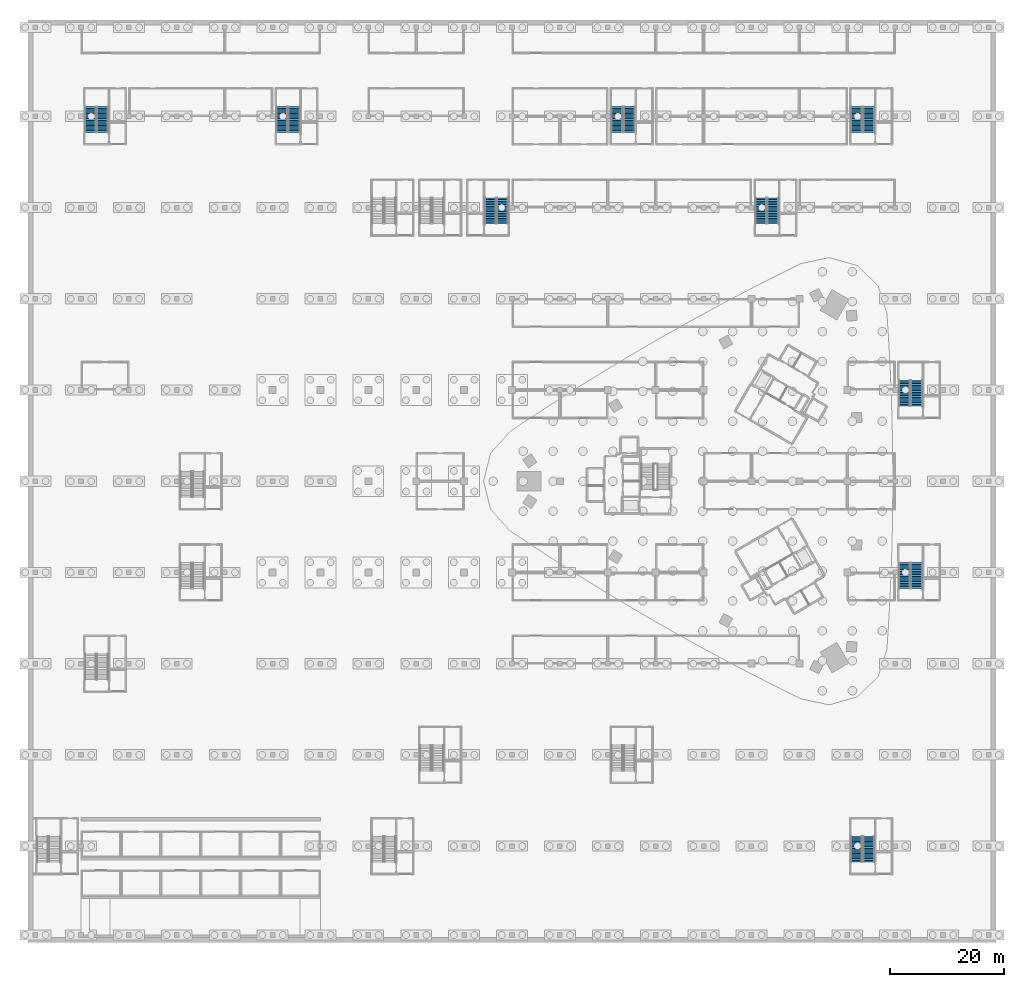
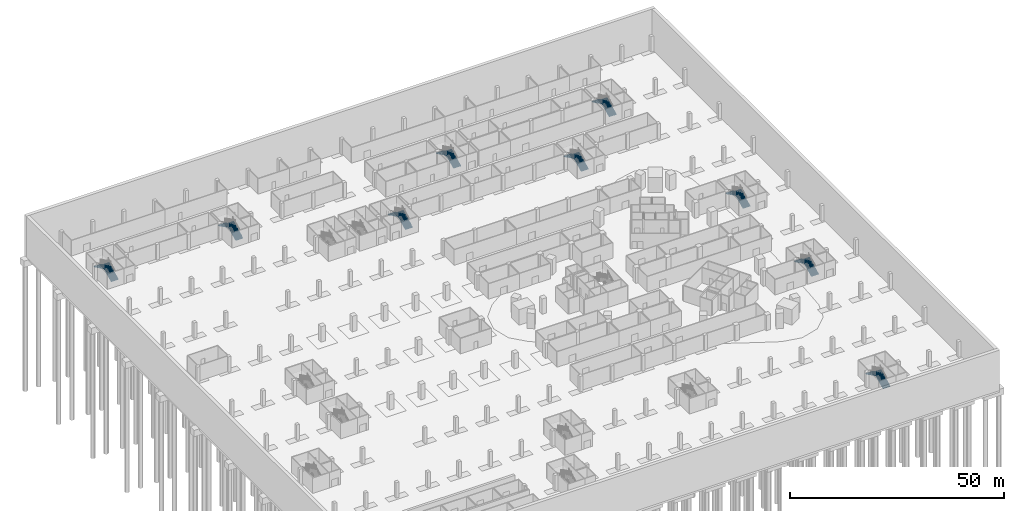
# One storey, part 27 of 46: 18 stair flights, 9 elements without a shape of their own.
"""IFC4 building model written with IfcOpenShell, lengths in metres."""

from ifc_helpers import new_model, si_unit, direction, frame, origin, place, context, subcontext, project, spatial, polyline, outline, extrude, material, layer, layer_set, type_object, element, aggregate, save


model = new_model("IFC4")

# Units and contexts
model_context = context("Model", 3, precision=1e-05, world=origin(), true_north=direction((0.0, 1.0)))
body_context = subcontext(model_context, "Body", "Model", "MODEL_VIEW")
ifc_project = project(units=[si_unit("LENGTHUNIT", "METRE"), si_unit("AREAUNIT", "SQUARE_METRE"), si_unit("VOLUMEUNIT", "CUBIC_METRE"), si_unit("PLANEANGLEUNIT", "RADIAN"), si_unit("MASSUNIT", "GRAM", prefix="KILO")], contexts=[model_context])

# Site, building, storey
site_placement = place(None, origin())
site = spatial("IfcSite", under=ifc_project, at=site_placement, CompositionType="ELEMENT")
building_placement = place(site_placement, origin())
building = spatial("IfcBuilding", under=site, at=building_placement, Name="Tamra Quay Hotel Tower", CompositionType="ELEMENT")
storey_placement = place(building_placement, frame((0.0, 0.0, -12.0)))
storey = spatial("IfcBuildingStorey", under=building, at=storey_placement, Name="B3", CompositionType="ELEMENT", Elevation=-12.0)

# Stair, stair flights
ifc_material_1 = material(Name="Basement exit stair")
stair_type = type_object("IfcStairType", Name="Basement exit stair", PredefinedType="HALF_TURN_STAIR", material=ifc_material_1)
stair_1_placement = place(storey_placement, origin())
stair_1 = element("IfcStair", 1, at=stair_1_placement, inside=storey, type_object=stair_type, Name="B3 Basement Exit Stair BS2", PredefinedType="HALF_TURN_STAIR")
ifc_material_2 = material(Name="Concrete M60", Category="concrete")
ifc_layer = layer(ifc_material_2, 0.14990234375)
ifc_layer_set = layer_set([ifc_layer], Name="Concrete M60 basement stair flight 150")
stair_flight_type = type_object("IfcStairFlightType", Name="Concrete M60 basement stair flight 150", PredefinedType="STRAIGHT", material=ifc_layer_set)
stair_flight_1_placement = place(storey_placement, frame((-110.5, 61.199951171875, 0.0), z_axis=(0.0, 0.0, 1.0), x_axis=(0.0, 1.0, 0.0)))
stair_flight_1 = element("IfcStairFlight", 2, at=stair_flight_1_placement, type_object=stair_flight_type, Name="BS2 flight 1", NumberOfRisers=16, NumberOfTreads=15, PredefinedType="STRAIGHT", RiserHeight=0.15, TreadLength=0.3, context=body_context, shape_type="SweptSolid", body=[
    extrude(outline(polyline([(0.0, 0.0), (0.0, 0.14990234375), (0.300048828125, 0.14990234375), (0.300048828125, 0.300048828125), (0.60009765625, 0.300048828125), (0.60009765625, 0.449951171875), (0.89990234375, 0.449951171875), (0.89990234375, 0.60009765625), (1.199951171875, 0.60009765625), (1.199951171875, 0.75), (1.5, 0.75), (1.5, 0.89990234375), (1.800048828125, 0.89990234375), (1.800048828125, 1.050048828125), (2.10009765625, 1.050048828125), (2.10009765625, 1.199951171875), (2.39990234375, 1.199951171875), (2.39990234375, 1.35009765625), (2.699951171875, 1.35009765625), (2.699951171875, 1.5), (3.0, 1.5), (3.0, 1.64990234375), (3.300048828125, 1.64990234375), (3.300048828125, 1.800048828125), (3.60009765625, 1.800048828125), (3.60009765625, 1.949951171875), (3.89990234375, 1.949951171875), (3.89990234375, 2.10009765625), (4.199951171875, 2.10009765625), (4.199951171875, 2.25), (4.5, 2.25), (4.5, 2.39990234375), (4.5, 2.08251953125), (0.335205078125, 0.0), (0.0, 0.0)])), frame((0.0, 1.0, 0.0), z_axis=(0.0, -1.0, 0.0), x_axis=(1.0, 0.0, 0.0)), (0.0, 0.0, 1.0), 2.0),
])
stair_flight_2_placement = place(storey_placement, frame((-112.64990234375, 65.699951171875, 2.39990234375), z_axis=(0.0, 0.0, 1.0), x_axis=(0.0, -1.0, 0.0)))
stair_flight_2 = element("IfcStairFlight", 3, at=stair_flight_2_placement, type_object=stair_flight_type, Name="BS2 flight 2", NumberOfRisers=16, NumberOfTreads=15, PredefinedType="STRAIGHT", RiserHeight=0.15, TreadLength=0.3, context=body_context, shape_type="SweptSolid", body=[
    extrude(outline(polyline([(0.0, 0.0), (0.0, 0.14990234375), (0.300048828125, 0.14990234375), (0.300048828125, 0.300048828125), (0.60009765625, 0.300048828125), (0.60009765625, 0.449951171875), (0.89990234375, 0.449951171875), (0.89990234375, 0.60009765625), (1.199951171875, 0.60009765625), (1.199951171875, 0.75), (1.5, 0.75), (1.5, 0.89990234375), (1.800048828125, 0.89990234375), (1.800048828125, 1.050048828125), (2.10009765625, 1.050048828125), (2.10009765625, 1.199951171875), (2.39990234375, 1.199951171875), (2.39990234375, 1.35009765625), (2.699951171875, 1.35009765625), (2.699951171875, 1.5), (3.0, 1.5), (3.0, 1.64990234375), (3.300048828125, 1.64990234375), (3.300048828125, 1.800048828125), (3.60009765625, 1.800048828125), (3.60009765625, 1.949951171875), (3.89990234375, 1.949951171875), (3.89990234375, 2.10009765625), (4.199951171875, 2.10009765625), (4.199951171875, 2.25), (4.5, 2.25), (4.5, 2.39990234375), (4.5, 2.08251953125), (0.335205078125, 0.0), (0.0, 0.0)])), frame((0.0, 1.0, 0.0), z_axis=(0.0, -1.0, 0.0), x_axis=(1.0, 0.0, 0.0)), (0.0, 0.0, 1.0), 2.0),
])
aggregate(stair_1, [stair_flight_1, stair_flight_2])

stair_2_placement = place(storey_placement, origin())
stair_2 = element("IfcStair", 4, at=stair_2_placement, inside=storey, type_object=stair_type, Name="B3 Basement Exit Stair BS5", PredefinedType="HALF_TURN_STAIR")
stair_flight_3_placement = place(storey_placement, frame((-76.89990234375, 61.199951171875, 0.0), z_axis=(0.0, 0.0, 1.0), x_axis=(0.0, 1.0, 0.0)))
stair_flight_3 = element("IfcStairFlight", 5, at=stair_flight_3_placement, type_object=stair_flight_type, Name="BS5 flight 1", NumberOfRisers=16, NumberOfTreads=15, PredefinedType="STRAIGHT", RiserHeight=0.15, TreadLength=0.3, context=body_context, shape_type="SweptSolid", body=[
    extrude(outline(polyline([(0.0, 0.0), (0.0, 0.14990234375), (0.300048828125, 0.14990234375), (0.300048828125, 0.300048828125), (0.60009765625, 0.300048828125), (0.60009765625, 0.449951171875), (0.89990234375, 0.449951171875), (0.89990234375, 0.60009765625), (1.199951171875, 0.60009765625), (1.199951171875, 0.75), (1.5, 0.75), (1.5, 0.89990234375), (1.800048828125, 0.89990234375), (1.800048828125, 1.050048828125), (2.10009765625, 1.050048828125), (2.10009765625, 1.199951171875), (2.39990234375, 1.199951171875), (2.39990234375, 1.35009765625), (2.699951171875, 1.35009765625), (2.699951171875, 1.5), (3.0, 1.5), (3.0, 1.64990234375), (3.300048828125, 1.64990234375), (3.300048828125, 1.800048828125), (3.60009765625, 1.800048828125), (3.60009765625, 1.949951171875), (3.89990234375, 1.949951171875), (3.89990234375, 2.10009765625), (4.199951171875, 2.10009765625), (4.199951171875, 2.25), (4.5, 2.25), (4.5, 2.39990234375), (4.5, 2.08251953125), (0.335205078125, 0.0), (0.0, 0.0)])), frame((0.0, 1.0, 0.0), z_axis=(0.0, -1.0, 0.0), x_axis=(1.0, 0.0, 0.0)), (0.0, 0.0, 1.0), 2.0),
])
stair_flight_4_placement = place(storey_placement, frame((-79.050048828125, 65.699951171875, 2.39990234375), z_axis=(0.0, 0.0, 1.0), x_axis=(0.0, -1.0, 0.0)))
stair_flight_4 = element("IfcStairFlight", 6, at=stair_flight_4_placement, type_object=stair_flight_type, Name="BS5 flight 2", NumberOfRisers=16, NumberOfTreads=15, PredefinedType="STRAIGHT", RiserHeight=0.15, TreadLength=0.3, context=body_context, shape_type="SweptSolid", body=[
    extrude(outline(polyline([(0.0, 0.0), (0.0, 0.14990234375), (0.300048828125, 0.14990234375), (0.300048828125, 0.300048828125), (0.60009765625, 0.300048828125), (0.60009765625, 0.449951171875), (0.89990234375, 0.449951171875), (0.89990234375, 0.60009765625), (1.199951171875, 0.60009765625), (1.199951171875, 0.75), (1.5, 0.75), (1.5, 0.89990234375), (1.800048828125, 0.89990234375), (1.800048828125, 1.050048828125), (2.10009765625, 1.050048828125), (2.10009765625, 1.199951171875), (2.39990234375, 1.199951171875), (2.39990234375, 1.35009765625), (2.699951171875, 1.35009765625), (2.699951171875, 1.5), (3.0, 1.5), (3.0, 1.64990234375), (3.300048828125, 1.64990234375), (3.300048828125, 1.800048828125), (3.60009765625, 1.800048828125), (3.60009765625, 1.949951171875), (3.89990234375, 1.949951171875), (3.89990234375, 2.10009765625), (4.199951171875, 2.10009765625), (4.199951171875, 2.25), (4.5, 2.25), (4.5, 2.39990234375), (4.5, 2.08251953125), (0.335205078125, 0.0), (0.0, 0.0)])), frame((0.0, 1.0, 0.0), z_axis=(0.0, -1.0, 0.0), x_axis=(1.0, 0.0, 0.0)), (0.0, 0.0, 1.0), 2.0),
])
aggregate(stair_2, [stair_flight_3, stair_flight_4])

stair_3_placement = place(storey_placement, origin())
stair_3 = element("IfcStair", 7, at=stair_3_placement, inside=storey, type_object=stair_type, Name="B3 Basement Exit Stair BS11", PredefinedType="HALF_TURN_STAIR")
stair_flight_5_placement = place(storey_placement, frame((-18.10009765625, 61.199951171875, 0.0), z_axis=(0.0, 0.0, 1.0), x_axis=(0.0, 1.0, 0.0)))
stair_flight_5 = element("IfcStairFlight", 8, at=stair_flight_5_placement, type_object=stair_flight_type, Name="BS11 flight 1", NumberOfRisers=16, NumberOfTreads=15, PredefinedType="STRAIGHT", RiserHeight=0.15, TreadLength=0.3, context=body_context, shape_type="SweptSolid", body=[
    extrude(outline(polyline([(0.0, 0.0), (0.0, 0.14990234375), (0.300048828125, 0.14990234375), (0.300048828125, 0.300048828125), (0.60009765625, 0.300048828125), (0.60009765625, 0.449951171875), (0.89990234375, 0.449951171875), (0.89990234375, 0.60009765625), (1.199951171875, 0.60009765625), (1.199951171875, 0.75), (1.5, 0.75), (1.5, 0.89990234375), (1.800048828125, 0.89990234375), (1.800048828125, 1.050048828125), (2.10009765625, 1.050048828125), (2.10009765625, 1.199951171875), (2.39990234375, 1.199951171875), (2.39990234375, 1.35009765625), (2.699951171875, 1.35009765625), (2.699951171875, 1.5), (3.0, 1.5), (3.0, 1.64990234375), (3.300048828125, 1.64990234375), (3.300048828125, 1.800048828125), (3.60009765625, 1.800048828125), (3.60009765625, 1.949951171875), (3.89990234375, 1.949951171875), (3.89990234375, 2.10009765625), (4.199951171875, 2.10009765625), (4.199951171875, 2.25), (4.5, 2.25), (4.5, 2.39990234375), (4.5, 2.08251953125), (0.335205078125, 0.0), (0.0, 0.0)])), frame((0.0, 1.0, 0.0), z_axis=(0.0, -1.0, 0.0), x_axis=(1.0, 0.0, 0.0)), (0.0, 0.0, 1.0), 2.0),
])
stair_flight_6_placement = place(storey_placement, frame((-20.25, 65.699951171875, 2.39990234375), z_axis=(0.0, 0.0, 1.0), x_axis=(0.0, -1.0, 0.0)))
stair_flight_6 = element("IfcStairFlight", 9, at=stair_flight_6_placement, type_object=stair_flight_type, Name="BS11 flight 2", NumberOfRisers=16, NumberOfTreads=15, PredefinedType="STRAIGHT", RiserHeight=0.15, TreadLength=0.3, context=body_context, shape_type="SweptSolid", body=[
    extrude(outline(polyline([(0.0, 0.0), (0.0, 0.14990234375), (0.300048828125, 0.14990234375), (0.300048828125, 0.300048828125), (0.60009765625, 0.300048828125), (0.60009765625, 0.449951171875), (0.89990234375, 0.449951171875), (0.89990234375, 0.60009765625), (1.199951171875, 0.60009765625), (1.199951171875, 0.75), (1.5, 0.75), (1.5, 0.89990234375), (1.800048828125, 0.89990234375), (1.800048828125, 1.050048828125), (2.10009765625, 1.050048828125), (2.10009765625, 1.199951171875), (2.39990234375, 1.199951171875), (2.39990234375, 1.35009765625), (2.699951171875, 1.35009765625), (2.699951171875, 1.5), (3.0, 1.5), (3.0, 1.64990234375), (3.300048828125, 1.64990234375), (3.300048828125, 1.800048828125), (3.60009765625, 1.800048828125), (3.60009765625, 1.949951171875), (3.89990234375, 1.949951171875), (3.89990234375, 2.10009765625), (4.199951171875, 2.10009765625), (4.199951171875, 2.25), (4.5, 2.25), (4.5, 2.39990234375), (4.5, 2.08251953125), (0.335205078125, 0.0), (0.0, 0.0)])), frame((0.0, 1.0, 0.0), z_axis=(0.0, -1.0, 0.0), x_axis=(1.0, 0.0, 0.0)), (0.0, 0.0, 1.0), 2.0),
])
aggregate(stair_3, [stair_flight_5, stair_flight_6])

stair_4_placement = place(storey_placement, origin())
stair_4 = element("IfcStair", 10, at=stair_4_placement, inside=storey, type_object=stair_type, Name="B3 Basement Exit Stair BS12", PredefinedType="HALF_TURN_STAIR")
stair_flight_7_placement = place(storey_placement, frame((7.10009765625, 45.199951171875, 0.0), z_axis=(0.0, 0.0, 1.0), x_axis=(0.0, 1.0, 0.0)))
stair_flight_7 = element("IfcStairFlight", 11, at=stair_flight_7_placement, type_object=stair_flight_type, Name="BS12 flight 1", NumberOfRisers=16, NumberOfTreads=15, PredefinedType="STRAIGHT", RiserHeight=0.15, TreadLength=0.3, context=body_context, shape_type="SweptSolid", body=[
    extrude(outline(polyline([(0.0, 0.0), (0.0, 0.14990234375), (0.300048828125, 0.14990234375), (0.300048828125, 0.300048828125), (0.60009765625, 0.300048828125), (0.60009765625, 0.449951171875), (0.89990234375, 0.449951171875), (0.89990234375, 0.60009765625), (1.199951171875, 0.60009765625), (1.199951171875, 0.75), (1.5, 0.75), (1.5, 0.89990234375), (1.800048828125, 0.89990234375), (1.800048828125, 1.050048828125), (2.10009765625, 1.050048828125), (2.10009765625, 1.199951171875), (2.39990234375, 1.199951171875), (2.39990234375, 1.35009765625), (2.699951171875, 1.35009765625), (2.699951171875, 1.5), (3.0, 1.5), (3.0, 1.64990234375), (3.300048828125, 1.64990234375), (3.300048828125, 1.800048828125), (3.60009765625, 1.800048828125), (3.60009765625, 1.949951171875), (3.89990234375, 1.949951171875), (3.89990234375, 2.10009765625), (4.199951171875, 2.10009765625), (4.199951171875, 2.25), (4.5, 2.25), (4.5, 2.39990234375), (4.5, 2.08251953125), (0.335205078125, 0.0), (0.0, 0.0)])), frame((0.0, 1.0, 0.0), z_axis=(0.0, -1.0, 0.0), x_axis=(1.0, 0.0, 0.0)), (0.0, 0.0, 1.0), 2.0),
])
stair_flight_8_placement = place(storey_placement, frame((4.949951171875, 49.699951171875, 2.39990234375), z_axis=(0.0, 0.0, 1.0), x_axis=(0.0, -1.0, 0.0)))
stair_flight_8 = element("IfcStairFlight", 12, at=stair_flight_8_placement, type_object=stair_flight_type, Name="BS12 flight 2", NumberOfRisers=16, NumberOfTreads=15, PredefinedType="STRAIGHT", RiserHeight=0.15, TreadLength=0.3, context=body_context, shape_type="SweptSolid", body=[
    extrude(outline(polyline([(0.0, 0.0), (0.0, 0.14990234375), (0.300048828125, 0.14990234375), (0.300048828125, 0.300048828125), (0.60009765625, 0.300048828125), (0.60009765625, 0.449951171875), (0.89990234375, 0.449951171875), (0.89990234375, 0.60009765625), (1.199951171875, 0.60009765625), (1.199951171875, 0.75), (1.5, 0.75), (1.5, 0.89990234375), (1.800048828125, 0.89990234375), (1.800048828125, 1.050048828125), (2.10009765625, 1.050048828125), (2.10009765625, 1.199951171875), (2.39990234375, 1.199951171875), (2.39990234375, 1.35009765625), (2.699951171875, 1.35009765625), (2.699951171875, 1.5), (3.0, 1.5), (3.0, 1.64990234375), (3.300048828125, 1.64990234375), (3.300048828125, 1.800048828125), (3.60009765625, 1.800048828125), (3.60009765625, 1.949951171875), (3.89990234375, 1.949951171875), (3.89990234375, 2.10009765625), (4.199951171875, 2.10009765625), (4.199951171875, 2.25), (4.5, 2.25), (4.5, 2.39990234375), (4.5, 2.08251953125), (0.335205078125, 0.0), (0.0, 0.0)])), frame((0.0, 1.0, 0.0), z_axis=(0.0, -1.0, 0.0), x_axis=(1.0, 0.0, 0.0)), (0.0, 0.0, 1.0), 2.0),
])
aggregate(stair_4, [stair_flight_7, stair_flight_8])

stair_5_placement = place(storey_placement, origin())
stair_5 = element("IfcStair", 13, at=stair_5_placement, inside=storey, type_object=stair_type, Name="B3 Basement Exit Stair BS13", PredefinedType="HALF_TURN_STAIR")
stair_flight_9_placement = place(storey_placement, frame((23.89990234375, -66.800048828125, 0.0), z_axis=(0.0, 0.0, 1.0), x_axis=(0.0, 1.0, 0.0)))
stair_flight_9 = element("IfcStairFlight", 14, at=stair_flight_9_placement, type_object=stair_flight_type, Name="BS13 flight 1", NumberOfRisers=16, NumberOfTreads=15, PredefinedType="STRAIGHT", RiserHeight=0.15, TreadLength=0.3, context=body_context, shape_type="SweptSolid", body=[
    extrude(outline(polyline([(0.0, 0.0), (0.0, 0.14990234375), (0.300048828125, 0.14990234375), (0.300048828125, 0.300048828125), (0.60009765625, 0.300048828125), (0.60009765625, 0.449951171875), (0.89990234375, 0.449951171875), (0.89990234375, 0.60009765625), (1.199951171875, 0.60009765625), (1.199951171875, 0.75), (1.5, 0.75), (1.5, 0.89990234375), (1.800048828125, 0.89990234375), (1.800048828125, 1.050048828125), (2.10009765625, 1.050048828125), (2.10009765625, 1.199951171875), (2.39990234375, 1.199951171875), (2.39990234375, 1.35009765625), (2.699951171875, 1.35009765625), (2.699951171875, 1.5), (3.0, 1.5), (3.0, 1.64990234375), (3.300048828125, 1.64990234375), (3.300048828125, 1.800048828125), (3.60009765625, 1.800048828125), (3.60009765625, 1.949951171875), (3.89990234375, 1.949951171875), (3.89990234375, 2.10009765625), (4.199951171875, 2.10009765625), (4.199951171875, 2.25), (4.5, 2.25), (4.5, 2.39990234375), (4.5, 2.08251953125), (0.335205078125, 0.0), (0.0, 0.0)])), frame((0.0, 1.0, 0.0), z_axis=(0.0, -1.0, 0.0), x_axis=(1.0, 0.0, 0.0)), (0.0, 0.0, 1.0), 2.0),
])
stair_flight_10_placement = place(storey_placement, frame((21.75, -62.300048828125, 2.39990234375), z_axis=(0.0, 0.0, 1.0), x_axis=(0.0, -1.0, 0.0)))
stair_flight_10 = element("IfcStairFlight", 15, at=stair_flight_10_placement, type_object=stair_flight_type, Name="BS13 flight 2", NumberOfRisers=16, NumberOfTreads=15, PredefinedType="STRAIGHT", RiserHeight=0.15, TreadLength=0.3, context=body_context, shape_type="SweptSolid", body=[
    extrude(outline(polyline([(0.0, 0.0), (0.0, 0.14990234375), (0.300048828125, 0.14990234375), (0.300048828125, 0.300048828125), (0.60009765625, 0.300048828125), (0.60009765625, 0.449951171875), (0.89990234375, 0.449951171875), (0.89990234375, 0.60009765625), (1.199951171875, 0.60009765625), (1.199951171875, 0.75), (1.5, 0.75), (1.5, 0.89990234375), (1.800048828125, 0.89990234375), (1.800048828125, 1.050048828125), (2.10009765625, 1.050048828125), (2.10009765625, 1.199951171875), (2.39990234375, 1.199951171875), (2.39990234375, 1.35009765625), (2.699951171875, 1.35009765625), (2.699951171875, 1.5), (3.0, 1.5), (3.0, 1.64990234375), (3.300048828125, 1.64990234375), (3.300048828125, 1.800048828125), (3.60009765625, 1.800048828125), (3.60009765625, 1.949951171875), (3.89990234375, 1.949951171875), (3.89990234375, 2.10009765625), (4.199951171875, 2.10009765625), (4.199951171875, 2.25), (4.5, 2.25), (4.5, 2.39990234375), (4.5, 2.08251953125), (0.335205078125, 0.0), (0.0, 0.0)])), frame((0.0, 1.0, 0.0), z_axis=(0.0, -1.0, 0.0), x_axis=(1.0, 0.0, 0.0)), (0.0, 0.0, 1.0), 2.0),
])
aggregate(stair_5, [stair_flight_9, stair_flight_10])

stair_6_placement = place(storey_placement, origin())
stair_6 = element("IfcStair", 16, at=stair_6_placement, inside=storey, type_object=stair_type, Name="B3 Basement Exit Stair BS14", PredefinedType="HALF_TURN_STAIR")
stair_flight_11_placement = place(storey_placement, frame((23.89990234375, 61.199951171875, 0.0), z_axis=(0.0, 0.0, 1.0), x_axis=(0.0, 1.0, 0.0)))
stair_flight_11 = element("IfcStairFlight", 17, at=stair_flight_11_placement, type_object=stair_flight_type, Name="BS14 flight 1", NumberOfRisers=16, NumberOfTreads=15, PredefinedType="STRAIGHT", RiserHeight=0.15, TreadLength=0.3, context=body_context, shape_type="SweptSolid", body=[
    extrude(outline(polyline([(0.0, 0.0), (0.0, 0.14990234375), (0.300048828125, 0.14990234375), (0.300048828125, 0.300048828125), (0.60009765625, 0.300048828125), (0.60009765625, 0.449951171875), (0.89990234375, 0.449951171875), (0.89990234375, 0.60009765625), (1.199951171875, 0.60009765625), (1.199951171875, 0.75), (1.5, 0.75), (1.5, 0.89990234375), (1.800048828125, 0.89990234375), (1.800048828125, 1.050048828125), (2.10009765625, 1.050048828125), (2.10009765625, 1.199951171875), (2.39990234375, 1.199951171875), (2.39990234375, 1.35009765625), (2.699951171875, 1.35009765625), (2.699951171875, 1.5), (3.0, 1.5), (3.0, 1.64990234375), (3.300048828125, 1.64990234375), (3.300048828125, 1.800048828125), (3.60009765625, 1.800048828125), (3.60009765625, 1.949951171875), (3.89990234375, 1.949951171875), (3.89990234375, 2.10009765625), (4.199951171875, 2.10009765625), (4.199951171875, 2.25), (4.5, 2.25), (4.5, 2.39990234375), (4.5, 2.08251953125), (0.335205078125, 0.0), (0.0, 0.0)])), frame((0.0, 1.0, 0.0), z_axis=(0.0, -1.0, 0.0), x_axis=(1.0, 0.0, 0.0)), (0.0, 0.0, 1.0), 2.0),
])
stair_flight_12_placement = place(storey_placement, frame((21.75, 65.699951171875, 2.39990234375), z_axis=(0.0, 0.0, 1.0), x_axis=(0.0, -1.0, 0.0)))
stair_flight_12 = element("IfcStairFlight", 18, at=stair_flight_12_placement, type_object=stair_flight_type, Name="BS14 flight 2", NumberOfRisers=16, NumberOfTreads=15, PredefinedType="STRAIGHT", RiserHeight=0.15, TreadLength=0.3, context=body_context, shape_type="SweptSolid", body=[
    extrude(outline(polyline([(0.0, 0.0), (0.0, 0.14990234375), (0.300048828125, 0.14990234375), (0.300048828125, 0.300048828125), (0.60009765625, 0.300048828125), (0.60009765625, 0.449951171875), (0.89990234375, 0.449951171875), (0.89990234375, 0.60009765625), (1.199951171875, 0.60009765625), (1.199951171875, 0.75), (1.5, 0.75), (1.5, 0.89990234375), (1.800048828125, 0.89990234375), (1.800048828125, 1.050048828125), (2.10009765625, 1.050048828125), (2.10009765625, 1.199951171875), (2.39990234375, 1.199951171875), (2.39990234375, 1.35009765625), (2.699951171875, 1.35009765625), (2.699951171875, 1.5), (3.0, 1.5), (3.0, 1.64990234375), (3.300048828125, 1.64990234375), (3.300048828125, 1.800048828125), (3.60009765625, 1.800048828125), (3.60009765625, 1.949951171875), (3.89990234375, 1.949951171875), (3.89990234375, 2.10009765625), (4.199951171875, 2.10009765625), (4.199951171875, 2.25), (4.5, 2.25), (4.5, 2.39990234375), (4.5, 2.08251953125), (0.335205078125, 0.0), (0.0, 0.0)])), frame((0.0, 1.0, 0.0), z_axis=(0.0, -1.0, 0.0), x_axis=(1.0, 0.0, 0.0)), (0.0, 0.0, 1.0), 2.0),
])
aggregate(stair_6, [stair_flight_11, stair_flight_12])

stair_7_placement = place(storey_placement, origin())
stair_7 = element("IfcStair", 19, at=stair_7_placement, inside=storey, type_object=stair_type, Name="B3 Basement Exit Stair BS15", PredefinedType="HALF_TURN_STAIR")
stair_flight_13_placement = place(storey_placement, frame((32.300048828125, -18.800048828125, 0.0), z_axis=(0.0, 0.0, 1.0), x_axis=(0.0, 1.0, 0.0)))
stair_flight_13 = element("IfcStairFlight", 20, at=stair_flight_13_placement, type_object=stair_flight_type, Name="BS15 flight 1", NumberOfRisers=16, NumberOfTreads=15, PredefinedType="STRAIGHT", RiserHeight=0.15, TreadLength=0.3, context=body_context, shape_type="SweptSolid", body=[
    extrude(outline(polyline([(0.0, 0.0), (0.0, 0.14990234375), (0.300048828125, 0.14990234375), (0.300048828125, 0.300048828125), (0.60009765625, 0.300048828125), (0.60009765625, 0.449951171875), (0.89990234375, 0.449951171875), (0.89990234375, 0.60009765625), (1.199951171875, 0.60009765625), (1.199951171875, 0.75), (1.5, 0.75), (1.5, 0.89990234375), (1.800048828125, 0.89990234375), (1.800048828125, 1.050048828125), (2.10009765625, 1.050048828125), (2.10009765625, 1.199951171875), (2.39990234375, 1.199951171875), (2.39990234375, 1.35009765625), (2.699951171875, 1.35009765625), (2.699951171875, 1.5), (3.0, 1.5), (3.0, 1.64990234375), (3.300048828125, 1.64990234375), (3.300048828125, 1.800048828125), (3.60009765625, 1.800048828125), (3.60009765625, 1.949951171875), (3.89990234375, 1.949951171875), (3.89990234375, 2.10009765625), (4.199951171875, 2.10009765625), (4.199951171875, 2.25), (4.5, 2.25), (4.5, 2.39990234375), (4.5, 2.08251953125), (0.335205078125, 0.0), (0.0, 0.0)])), frame((0.0, 1.0, 0.0), z_axis=(0.0, -1.0, 0.0), x_axis=(1.0, 0.0, 0.0)), (0.0, 0.0, 1.0), 2.0),
])
stair_flight_14_placement = place(storey_placement, frame((30.14990234375, -14.300048828125, 2.39990234375), z_axis=(0.0, 0.0, 1.0), x_axis=(0.0, -1.0, 0.0)))
stair_flight_14 = element("IfcStairFlight", 21, at=stair_flight_14_placement, type_object=stair_flight_type, Name="BS15 flight 2", NumberOfRisers=16, NumberOfTreads=15, PredefinedType="STRAIGHT", RiserHeight=0.15, TreadLength=0.3, context=body_context, shape_type="SweptSolid", body=[
    extrude(outline(polyline([(0.0, 0.0), (0.0, 0.14990234375), (0.300048828125, 0.14990234375), (0.300048828125, 0.300048828125), (0.60009765625, 0.300048828125), (0.60009765625, 0.449951171875), (0.89990234375, 0.449951171875), (0.89990234375, 0.60009765625), (1.199951171875, 0.60009765625), (1.199951171875, 0.75), (1.5, 0.75), (1.5, 0.89990234375), (1.800048828125, 0.89990234375), (1.800048828125, 1.050048828125), (2.10009765625, 1.050048828125), (2.10009765625, 1.199951171875), (2.39990234375, 1.199951171875), (2.39990234375, 1.35009765625), (2.699951171875, 1.35009765625), (2.699951171875, 1.5), (3.0, 1.5), (3.0, 1.64990234375), (3.300048828125, 1.64990234375), (3.300048828125, 1.800048828125), (3.60009765625, 1.800048828125), (3.60009765625, 1.949951171875), (3.89990234375, 1.949951171875), (3.89990234375, 2.10009765625), (4.199951171875, 2.10009765625), (4.199951171875, 2.25), (4.5, 2.25), (4.5, 2.39990234375), (4.5, 2.08251953125), (0.335205078125, 0.0), (0.0, 0.0)])), frame((0.0, 1.0, 0.0), z_axis=(0.0, -1.0, 0.0), x_axis=(1.0, 0.0, 0.0)), (0.0, 0.0, 1.0), 2.0),
])
aggregate(stair_7, [stair_flight_13, stair_flight_14])

stair_8_placement = place(storey_placement, origin())
stair_8 = element("IfcStair", 22, at=stair_8_placement, inside=storey, type_object=stair_type, Name="B3 Basement Exit Stair BS16", PredefinedType="HALF_TURN_STAIR")
stair_flight_15_placement = place(storey_placement, frame((32.300048828125, 13.199951171875, 0.0), z_axis=(0.0, 0.0, 1.0), x_axis=(0.0, 1.0, 0.0)))
stair_flight_15 = element("IfcStairFlight", 23, at=stair_flight_15_placement, type_object=stair_flight_type, Name="BS16 flight 1", NumberOfRisers=16, NumberOfTreads=15, PredefinedType="STRAIGHT", RiserHeight=0.15, TreadLength=0.3, context=body_context, shape_type="SweptSolid", body=[
    extrude(outline(polyline([(0.0, 0.0), (0.0, 0.14990234375), (0.300048828125, 0.14990234375), (0.300048828125, 0.300048828125), (0.60009765625, 0.300048828125), (0.60009765625, 0.449951171875), (0.89990234375, 0.449951171875), (0.89990234375, 0.60009765625), (1.199951171875, 0.60009765625), (1.199951171875, 0.75), (1.5, 0.75), (1.5, 0.89990234375), (1.800048828125, 0.89990234375), (1.800048828125, 1.050048828125), (2.10009765625, 1.050048828125), (2.10009765625, 1.199951171875), (2.39990234375, 1.199951171875), (2.39990234375, 1.35009765625), (2.699951171875, 1.35009765625), (2.699951171875, 1.5), (3.0, 1.5), (3.0, 1.64990234375), (3.300048828125, 1.64990234375), (3.300048828125, 1.800048828125), (3.60009765625, 1.800048828125), (3.60009765625, 1.949951171875), (3.89990234375, 1.949951171875), (3.89990234375, 2.10009765625), (4.199951171875, 2.10009765625), (4.199951171875, 2.25), (4.5, 2.25), (4.5, 2.39990234375), (4.5, 2.08251953125), (0.335205078125, 0.0), (0.0, 0.0)])), frame((0.0, 1.0, 0.0), z_axis=(0.0, -1.0, 0.0), x_axis=(1.0, 0.0, 0.0)), (0.0, 0.0, 1.0), 2.0),
])
stair_flight_16_placement = place(storey_placement, frame((30.14990234375, 17.699951171875, 2.39990234375), z_axis=(0.0, 0.0, 1.0), x_axis=(0.0, -1.0, 0.0)))
stair_flight_16 = element("IfcStairFlight", 24, at=stair_flight_16_placement, type_object=stair_flight_type, Name="BS16 flight 2", NumberOfRisers=16, NumberOfTreads=15, PredefinedType="STRAIGHT", RiserHeight=0.15, TreadLength=0.3, context=body_context, shape_type="SweptSolid", body=[
    extrude(outline(polyline([(0.0, 0.0), (0.0, 0.14990234375), (0.300048828125, 0.14990234375), (0.300048828125, 0.300048828125), (0.60009765625, 0.300048828125), (0.60009765625, 0.449951171875), (0.89990234375, 0.449951171875), (0.89990234375, 0.60009765625), (1.199951171875, 0.60009765625), (1.199951171875, 0.75), (1.5, 0.75), (1.5, 0.89990234375), (1.800048828125, 0.89990234375), (1.800048828125, 1.050048828125), (2.10009765625, 1.050048828125), (2.10009765625, 1.199951171875), (2.39990234375, 1.199951171875), (2.39990234375, 1.35009765625), (2.699951171875, 1.35009765625), (2.699951171875, 1.5), (3.0, 1.5), (3.0, 1.64990234375), (3.300048828125, 1.64990234375), (3.300048828125, 1.800048828125), (3.60009765625, 1.800048828125), (3.60009765625, 1.949951171875), (3.89990234375, 1.949951171875), (3.89990234375, 2.10009765625), (4.199951171875, 2.10009765625), (4.199951171875, 2.25), (4.5, 2.25), (4.5, 2.39990234375), (4.5, 2.08251953125), (0.335205078125, 0.0), (0.0, 0.0)])), frame((0.0, 1.0, 0.0), z_axis=(0.0, -1.0, 0.0), x_axis=(1.0, 0.0, 0.0)), (0.0, 0.0, 1.0), 2.0),
])
aggregate(stair_8, [stair_flight_15, stair_flight_16])

stair_9_placement = place(storey_placement, origin())
stair_9 = element("IfcStair", 25, at=stair_9_placement, inside=storey, type_object=stair_type, Name="B3 Basement Exit Stair BS17", PredefinedType="HALF_TURN_STAIR")
stair_flight_17_placement = place(storey_placement, frame((-40.35009765625, 45.199951171875, 0.0), z_axis=(0.0, 0.0, 1.0), x_axis=(0.0, 1.0, 0.0)))
stair_flight_17 = element("IfcStairFlight", 26, at=stair_flight_17_placement, type_object=stair_flight_type, Name="BS17 flight 1", NumberOfRisers=16, NumberOfTreads=15, PredefinedType="STRAIGHT", RiserHeight=0.15, TreadLength=0.3, context=body_context, shape_type="SweptSolid", body=[
    extrude(outline(polyline([(0.0, 0.0), (0.0, 0.14990234375), (0.300048828125, 0.14990234375), (0.300048828125, 0.300048828125), (0.60009765625, 0.300048828125), (0.60009765625, 0.449951171875), (0.89990234375, 0.449951171875), (0.89990234375, 0.60009765625), (1.199951171875, 0.60009765625), (1.199951171875, 0.75), (1.5, 0.75), (1.5, 0.89990234375), (1.800048828125, 0.89990234375), (1.800048828125, 1.050048828125), (2.10009765625, 1.050048828125), (2.10009765625, 1.199951171875), (2.39990234375, 1.199951171875), (2.39990234375, 1.35009765625), (2.699951171875, 1.35009765625), (2.699951171875, 1.5), (3.0, 1.5), (3.0, 1.64990234375), (3.300048828125, 1.64990234375), (3.300048828125, 1.800048828125), (3.60009765625, 1.800048828125), (3.60009765625, 1.949951171875), (3.89990234375, 1.949951171875), (3.89990234375, 2.10009765625), (4.199951171875, 2.10009765625), (4.199951171875, 2.25), (4.5, 2.25), (4.5, 2.39990234375), (4.5, 2.08251953125), (0.335205078125, 0.0), (0.0, 0.0)])), frame((0.0, 1.0, 0.0), z_axis=(0.0, -1.0, 0.0), x_axis=(1.0, 0.0, 0.0)), (0.0, 0.0, 1.0), 2.0),
])
stair_flight_18_placement = place(storey_placement, frame((-42.5, 49.699951171875, 2.39990234375), z_axis=(0.0, 0.0, 1.0), x_axis=(0.0, -1.0, 0.0)))
stair_flight_18 = element("IfcStairFlight", 27, at=stair_flight_18_placement, type_object=stair_flight_type, Name="BS17 flight 2", NumberOfRisers=16, NumberOfTreads=15, PredefinedType="STRAIGHT", RiserHeight=0.15, TreadLength=0.3, context=body_context, shape_type="SweptSolid", body=[
    extrude(outline(polyline([(0.0, 0.0), (0.0, 0.14990234375), (0.300048828125, 0.14990234375), (0.300048828125, 0.300048828125), (0.60009765625, 0.300048828125), (0.60009765625, 0.449951171875), (0.89990234375, 0.449951171875), (0.89990234375, 0.60009765625), (1.199951171875, 0.60009765625), (1.199951171875, 0.75), (1.5, 0.75), (1.5, 0.89990234375), (1.800048828125, 0.89990234375), (1.800048828125, 1.050048828125), (2.10009765625, 1.050048828125), (2.10009765625, 1.199951171875), (2.39990234375, 1.199951171875), (2.39990234375, 1.35009765625), (2.699951171875, 1.35009765625), (2.699951171875, 1.5), (3.0, 1.5), (3.0, 1.64990234375), (3.300048828125, 1.64990234375), (3.300048828125, 1.800048828125), (3.60009765625, 1.800048828125), (3.60009765625, 1.949951171875), (3.89990234375, 1.949951171875), (3.89990234375, 2.10009765625), (4.199951171875, 2.10009765625), (4.199951171875, 2.25), (4.5, 2.25), (4.5, 2.39990234375), (4.5, 2.08251953125), (0.335205078125, 0.0), (0.0, 0.0)])), frame((0.0, 1.0, 0.0), z_axis=(0.0, -1.0, 0.0), x_axis=(1.0, 0.0, 0.0)), (0.0, 0.0, 1.0), 2.0),
])
aggregate(stair_9, [stair_flight_17, stair_flight_18])

save(model, "model.ifc")
